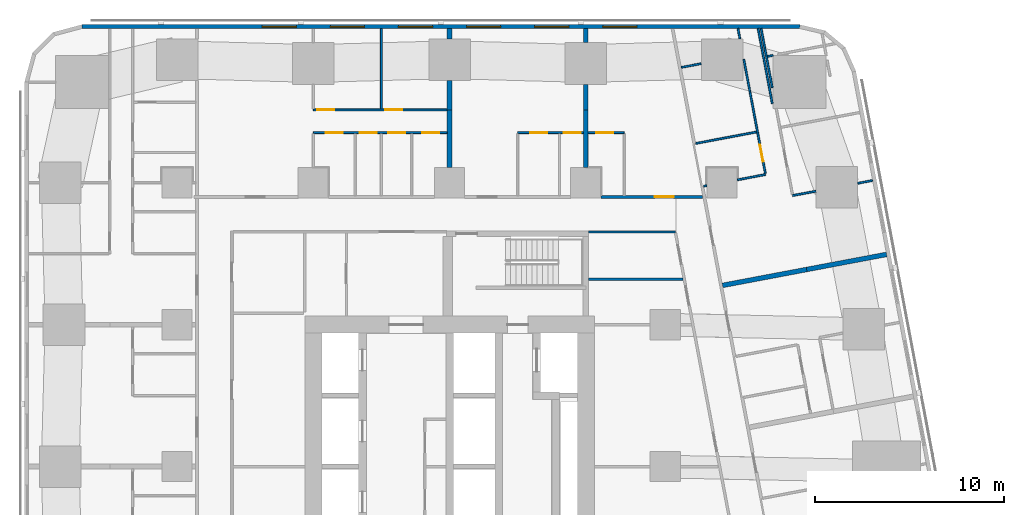
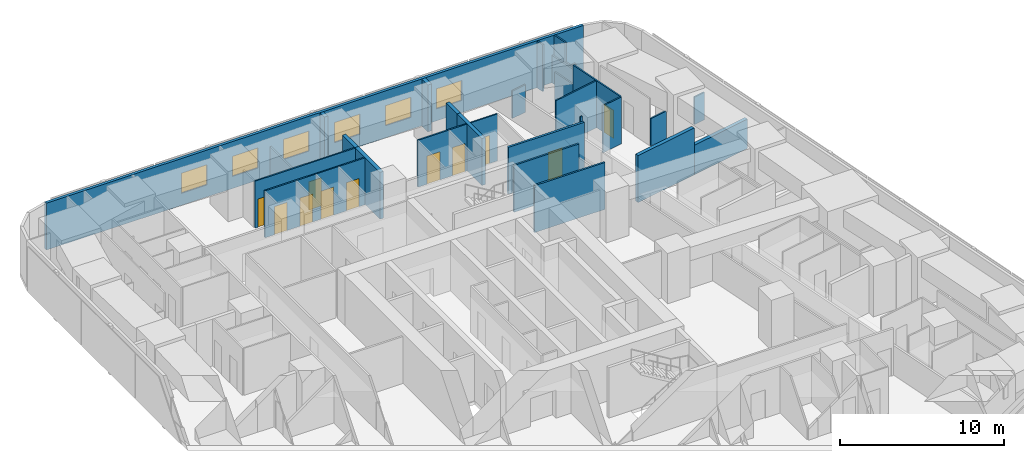
# One storey, part 9 of 14: 30 walls, 11 doors, 6 windows, 17 openings.
"""IFC4 building model written with IfcOpenShell, lengths in metres."""

from ifc_helpers import new_model, si_unit, direction, frame, frame_2d, origin, place, context, subcontext, project, spatial, rectangle, extrude, material, layer, layer_set, type_object, element, fill, save


model = new_model("IFC4")

# Units and contexts
model_context = context("Model", 3, precision=1e-05, world=origin(), true_north=direction((0.0, 1.0)))
body_context = subcontext(model_context, "Body", "Model", "MODEL_VIEW")
ifc_project = project(units=[si_unit("LENGTHUNIT", "METRE"), si_unit("AREAUNIT", "SQUARE_METRE"), si_unit("VOLUMEUNIT", "CUBIC_METRE"), si_unit("PLANEANGLEUNIT", "RADIAN"), si_unit("MASSUNIT", "GRAM", prefix="KILO")], contexts=[model_context])

# Site, building, storey
site_placement = place(None, origin())
site = spatial("IfcSite", under=ifc_project, at=site_placement, CompositionType="ELEMENT")
building_placement = place(site_placement, origin())
building = spatial("IfcBuilding", under=site, at=building_placement, Name="Sheger Commons Tower", CompositionType="ELEMENT")
storey_placement = place(building_placement, frame((0.0, 0.0, 122.89990234375)))
storey = spatial("IfcBuildingStorey", under=building, at=storey_placement, Name="L31", CompositionType="ELEMENT", Elevation=122.89990234375)

# Wall, opening, door
ifc_material_1 = material(Name="Hollow concrete block masonry, skimmed both sides", Category="masonry")
ifc_layer_1 = layer(ifc_material_1, 0.14990234375)
ifc_layer_set_1 = layer_set([ifc_layer_1], Name="CORRIDOR WALL 150")
wall_type_1 = type_object("IfcWallType", Name="CORRIDOR WALL 150", PredefinedType="SOLIDWALL", material=ifc_layer_set_1)
wall_1_placement = place(storey_placement, frame((29.60107421875, 36.75, 0.0), z_axis=(0.0, 0.0, 1.0), x_axis=(1.0, 0.0, 0.0)))
wall_1 = element("IfcWall", 1, at=wall_1_placement, inside=storey, type_object=wall_type_1, Name="Corridor wall L31", PredefinedType="SOLIDWALL", context=body_context, shape_type="SweptSolid", body=[
    extrude(rectangle(XDim=5.371826171875, YDim=0.14990234375, at=frame_2d((2.68603515625, 0.0))), origin(), (0.0, 0.0, 1.0), 3.5),
])
opening_1_placement = place(wall_1_placement, frame((2.844970703125, 0.0, 0.0)))
opening_1 = element("IfcOpeningElement", 2, at=opening_1_placement, cuts=wall_1, Name="Opening D1", PredefinedType="OPENING", context=body_context, shape_type="SweptSolid", body=[
    extrude(rectangle(XDim=1.0, YDim=2.10009765625, at=frame_2d((0.5, 1.050048828125))), frame((0.0, 0.0849609375, 0.0), z_axis=(0.0, -1.0, 0.0), x_axis=(1.0, 0.0, 0.0)), (0.0, 0.0, 1.0), 0.169921875),
])
ifc_material_2 = material(Name="Steel door set, fire rated", Category="steel")
door_type_1 = type_object("IfcDoorType", Name="FLAT ENTRANCE DOOR 1000x2100", OperationType="NOTDEFINED", PredefinedType="DOOR", material=ifc_material_2)
door_1_placement = place(opening_1_placement, origin())
door_1 = element("IfcDoor", 3, at=door_1_placement, inside=storey, type_object=door_type_1, Name="Flat entrance door", OperationType="SINGLE_SWING_RIGHT", OverallHeight=2.10009765625, OverallWidth=1.0, PredefinedType="DOOR", context=body_context, shape_type="SweptSolid", body=[
    extrude(rectangle(XDim=1.0, YDim=2.10009765625, at=frame_2d((0.5, 1.050048828125))), frame((0.0, 0.02490234375, 0.0), z_axis=(0.0, -1.0, 0.0), x_axis=(1.0, 0.0, 0.0)), (0.0, 0.0, 1.0), 0.050048828125),
])
fill(opening_1, door_1)

# Walls
ifc_material_3 = material(Name="Dense concrete block masonry, plastered both sides (separating wall between flats)", Category="masonry")
ifc_layer_2 = layer(ifc_material_3, 0.25)
ifc_layer_set_2 = layer_set([ifc_layer_2], Name="DEMISING WALL 250")
wall_type_2 = type_object("IfcWallType", Name="DEMISING WALL 250", PredefinedType="SOLIDWALL", material=ifc_layer_set_2)
wall_2_placement = place(storey_placement, frame((44.693115234375, 33.712890625, 0.0), z_axis=(0.0, 0.0, 1.0), x_axis=(-0.982633535512, -0.185556823879, 0.0)))
element("IfcWall", 4, at=wall_2_placement, inside=storey, type_object=wall_type_2, Name="Demising wall L31", PredefinedType="SOLIDWALL", context=body_context, shape_type="SweptSolid", body=[
    extrude(rectangle(XDim=4.2998046875, YDim=0.25, at=frame_2d((2.14990234375, 0.0))), origin(), (0.0, 0.0, 1.0), 2.2001953125),
])
wall_3_placement = place(storey_placement, frame((40.468017578125, 32.9150390625, 0.0), z_axis=(0.0, 0.0, 1.0), x_axis=(-0.982612837616, -0.185666398014, 0.0)))
element("IfcWall", 5, at=wall_3_placement, inside=storey, type_object=wall_type_2, Name="Demising wall L31", PredefinedType="SOLIDWALL", context=body_context, shape_type="SweptSolid", body=[
    extrude(rectangle(XDim=4.524658203125, YDim=0.25, at=frame_2d((2.26220703125, 0.0))), origin(), (0.0, 0.0, 1.0), 3.5),
])
wall_4_placement = place(storey_placement, frame((21.60009765625, 41.35009765625, 0.0), z_axis=(0.0, 0.0, 1.0), x_axis=(0.0, 1.0, 0.0)))
element("IfcWall", 6, at=wall_4_placement, inside=storey, type_object=wall_type_2, Name="Demising wall L31", PredefinedType="SOLIDWALL", context=body_context, shape_type="SweptSolid", body=[
    extrude(rectangle(XDim=1.548828125, YDim=0.25, at=frame_2d((0.7744140625, 0.0))), origin(), (0.0, 0.0, 1.0), 3.5),
])
wall_5_placement = place(storey_placement, frame((21.60009765625, 45.10107421875, 0.0), z_axis=(0.0, 0.0, 1.0), x_axis=(0.0, 1.0, 0.0)))
element("IfcWall", 7, at=wall_5_placement, inside=storey, type_object=wall_type_2, Name="Demising wall L31", PredefinedType="SOLIDWALL", context=body_context, shape_type="SweptSolid", body=[
    extrude(rectangle(XDim=0.548828125, YDim=0.25, at=frame_2d((0.2744140625, 0.0))), origin(), (0.0, 0.0, 1.0), 3.5),
])
wall_6_placement = place(storey_placement, frame((21.60009765625, 38.301025390625, 0.0), z_axis=(0.0, 0.0, 1.0), x_axis=(0.0, 1.0, 0.0)))
element("IfcWall", 8, at=wall_6_placement, inside=storey, type_object=wall_type_2, Name="Demising wall L31", PredefinedType="SOLIDWALL", context=body_context, shape_type="SweptSolid", body=[
    extrude(rectangle(XDim=3.049072265625, YDim=0.25, at=frame_2d((1.5244140625, 0.0))), origin(), (0.0, 0.0, 1.0), 3.5),
])
wall_7_placement = place(storey_placement, frame((28.800048828125, 41.35009765625, 0.0), z_axis=(0.0, 0.0, 1.0), x_axis=(0.0, 1.0, 0.0)))
element("IfcWall", 9, at=wall_7_placement, inside=storey, type_object=wall_type_2, Name="Demising wall L31", PredefinedType="SOLIDWALL", context=body_context, shape_type="SweptSolid", body=[
    extrude(rectangle(XDim=1.348876953125, YDim=0.25, at=frame_2d((0.67431640625, 0.0))), origin(), (0.0, 0.0, 1.0), 3.5),
])
wall_8_placement = place(storey_placement, frame((28.800048828125, 44.90087890625, 0.0), z_axis=(0.0, 0.0, 1.0), x_axis=(0.0, 1.0, 0.0)))
element("IfcWall", 10, at=wall_8_placement, inside=storey, type_object=wall_type_2, Name="Demising wall L31", PredefinedType="SOLIDWALL", context=body_context, shape_type="SweptSolid", body=[
    extrude(rectangle(XDim=0.7490234375, YDim=0.25, at=frame_2d((0.37451171875, 0.0))), origin(), (0.0, 0.0, 1.0), 3.5),
])
wall_9_placement = place(storey_placement, frame((28.800048828125, 38.301025390625, 0.0), z_axis=(0.0, 0.0, 1.0), x_axis=(0.0, 1.0, 0.0)))
element("IfcWall", 11, at=wall_9_placement, inside=storey, type_object=wall_type_2, Name="Demising wall L31", PredefinedType="SOLIDWALL", context=body_context, shape_type="SweptSolid", body=[
    extrude(rectangle(XDim=3.049072265625, YDim=0.25, at=frame_2d((1.5244140625, 0.0))), origin(), (0.0, 0.0, 1.0), 3.5),
])

# Wall, openings, windows
ifc_material_4 = material(Name="Rendered concrete block masonry, dark grey", Category="masonry")
ifc_layer_3 = layer(ifc_material_4, 0.199951171875)
ifc_layer_set_3 = layer_set([ifc_layer_3], Name="FACADE WALL 200")
wall_type_3 = type_object("IfcWallType", Name="FACADE WALL 200", PredefinedType="SOLIDWALL", material=ifc_layer_set_3)
wall_10_placement = place(storey_placement, frame((40.10595703125, 45.75, 0.0), z_axis=(0.0, 0.0, 1.0), x_axis=(-1.0, 0.0, 0.0)))
wall_10 = element("IfcWall", 12, at=wall_10_placement, inside=storey, type_object=wall_type_3, Name="Facade wall L31", PredefinedType="SOLIDWALL", context=body_context, shape_type="SweptSolid", body=[
    extrude(rectangle(XDim=37.94287109375, YDim=0.199951171875, at=frame_2d((18.971435546875, 0.0))), origin(), (0.0, 0.0, 1.0), 3.5),
])
opening_2_placement = place(wall_10_placement, frame((8.60595703125, 0.0, 0.89990234375)))
opening_2 = element("IfcOpeningElement", 13, at=opening_2_placement, cuts=wall_10, Name="Opening W2", PredefinedType="OPENING", context=body_context, shape_type="SweptSolid", body=[
    extrude(rectangle(XDim=1.800048828125, YDim=1.5, at=frame_2d((0.89990234375, 0.75))), frame((0.0, 0.10986328125, 0.0), z_axis=(0.0, -1.0, 0.0), x_axis=(1.0, 0.0, 0.0)), (0.0, 0.0, 1.0), 0.219970703125),
])
opening_3_placement = place(wall_10_placement, frame((12.2060546875, 0.0, 0.89990234375)))
opening_3 = element("IfcOpeningElement", 14, at=opening_3_placement, cuts=wall_10, Name="Opening W2", PredefinedType="OPENING", context=body_context, shape_type="SweptSolid", body=[
    extrude(rectangle(XDim=1.800048828125, YDim=1.5, at=frame_2d((0.89990234375, 0.75))), frame((0.0, 0.10986328125, 0.0), z_axis=(0.0, -1.0, 0.0), x_axis=(1.0, 0.0, 0.0)), (0.0, 0.0, 1.0), 0.219970703125),
])
opening_4_placement = place(wall_10_placement, frame((15.805908203125, 0.0, 0.89990234375)))
opening_4 = element("IfcOpeningElement", 15, at=opening_4_placement, cuts=wall_10, Name="Opening W2", PredefinedType="OPENING", context=body_context, shape_type="SweptSolid", body=[
    extrude(rectangle(XDim=1.800048828125, YDim=1.5, at=frame_2d((0.89990234375, 0.75))), frame((0.0, 0.10986328125, 0.0), z_axis=(0.0, -1.0, 0.0), x_axis=(1.0, 0.0, 0.0)), (0.0, 0.0, 1.0), 0.219970703125),
])
opening_5_placement = place(wall_10_placement, frame((19.406005859375, 0.0, 0.89990234375)))
opening_5 = element("IfcOpeningElement", 16, at=opening_5_placement, cuts=wall_10, Name="Opening W2", PredefinedType="OPENING", context=body_context, shape_type="SweptSolid", body=[
    extrude(rectangle(XDim=1.800048828125, YDim=1.5, at=frame_2d((0.89990234375, 0.75))), frame((0.0, 0.10986328125, 0.0), z_axis=(0.0, -1.0, 0.0), x_axis=(1.0, 0.0, 0.0)), (0.0, 0.0, 1.0), 0.219970703125),
])
opening_6_placement = place(wall_10_placement, frame((23.006103515625, 0.0, 0.89990234375)))
opening_6 = element("IfcOpeningElement", 17, at=opening_6_placement, cuts=wall_10, Name="Opening W2", PredefinedType="OPENING", context=body_context, shape_type="SweptSolid", body=[
    extrude(rectangle(XDim=1.800048828125, YDim=1.5, at=frame_2d((0.89990234375, 0.75))), frame((0.0, 0.10986328125, 0.0), z_axis=(0.0, -1.0, 0.0), x_axis=(1.0, 0.0, 0.0)), (0.0, 0.0, 1.0), 0.219970703125),
])
opening_7_placement = place(wall_10_placement, frame((26.60595703125, 0.0, 0.89990234375)))
opening_7 = element("IfcOpeningElement", 18, at=opening_7_placement, cuts=wall_10, Name="Opening W2", PredefinedType="OPENING", context=body_context, shape_type="SweptSolid", body=[
    extrude(rectangle(XDim=1.800048828125, YDim=1.5, at=frame_2d((0.89990234375, 0.75))), frame((0.0, 0.10986328125, 0.0), z_axis=(0.0, -1.0, 0.0), x_axis=(1.0, 0.0, 0.0)), (0.0, 0.0, 1.0), 0.219970703125),
])
ifc_material_5 = material(Name="Black aluminium frame, dark tinted double glazing", Category="aluminium")
window_type = type_object("IfcWindowType", Name="WINDOW W2 1800x1500", PartitioningType="SINGLE_PANEL", PredefinedType="WINDOW", material=ifc_material_5)
window_1_placement = place(opening_2_placement, origin())
window_1 = element("IfcWindow", 19, at=window_1_placement, inside=storey, type_object=window_type, Name="Window W2 1800X1500", OverallHeight=1.5, OverallWidth=1.800048828125, PartitioningType="SINGLE_PANEL", PredefinedType="WINDOW", context=body_context, shape_type="SweptSolid", body=[
    extrude(rectangle(XDim=1.800048828125, YDim=1.5, at=frame_2d((0.89990234375, 0.75))), frame((0.0, 0.030029296875, 0.0), z_axis=(0.0, -1.0, 0.0), x_axis=(1.0, 0.0, 0.0)), (0.0, 0.0, 1.0), 0.06005859375),
])
fill(opening_2, window_1)
window_2_placement = place(opening_3_placement, origin())
window_2 = element("IfcWindow", 20, at=window_2_placement, inside=storey, type_object=window_type, Name="Window W2 1800X1500", OverallHeight=1.5, OverallWidth=1.800048828125, PartitioningType="SINGLE_PANEL", PredefinedType="WINDOW", context=body_context, shape_type="SweptSolid", body=[
    extrude(rectangle(XDim=1.800048828125, YDim=1.5, at=frame_2d((0.89990234375, 0.75))), frame((0.0, 0.030029296875, 0.0), z_axis=(0.0, -1.0, 0.0), x_axis=(1.0, 0.0, 0.0)), (0.0, 0.0, 1.0), 0.06005859375),
])
fill(opening_3, window_2)
window_3_placement = place(opening_4_placement, origin())
window_3 = element("IfcWindow", 21, at=window_3_placement, inside=storey, type_object=window_type, Name="Window W2 1800X1500", OverallHeight=1.5, OverallWidth=1.800048828125, PartitioningType="SINGLE_PANEL", PredefinedType="WINDOW", context=body_context, shape_type="SweptSolid", body=[
    extrude(rectangle(XDim=1.800048828125, YDim=1.5, at=frame_2d((0.89990234375, 0.75))), frame((0.0, 0.030029296875, 0.0), z_axis=(0.0, -1.0, 0.0), x_axis=(1.0, 0.0, 0.0)), (0.0, 0.0, 1.0), 0.06005859375),
])
fill(opening_4, window_3)
window_4_placement = place(opening_5_placement, origin())
window_4 = element("IfcWindow", 22, at=window_4_placement, inside=storey, type_object=window_type, Name="Window W2 1800X1500", OverallHeight=1.5, OverallWidth=1.800048828125, PartitioningType="SINGLE_PANEL", PredefinedType="WINDOW", context=body_context, shape_type="SweptSolid", body=[
    extrude(rectangle(XDim=1.800048828125, YDim=1.5, at=frame_2d((0.89990234375, 0.75))), frame((0.0, 0.030029296875, 0.0), z_axis=(0.0, -1.0, 0.0), x_axis=(1.0, 0.0, 0.0)), (0.0, 0.0, 1.0), 0.06005859375),
])
fill(opening_5, window_4)
window_5_placement = place(opening_6_placement, origin())
window_5 = element("IfcWindow", 23, at=window_5_placement, inside=storey, type_object=window_type, Name="Window W2 1800X1500", OverallHeight=1.5, OverallWidth=1.800048828125, PartitioningType="SINGLE_PANEL", PredefinedType="WINDOW", context=body_context, shape_type="SweptSolid", body=[
    extrude(rectangle(XDim=1.800048828125, YDim=1.5, at=frame_2d((0.89990234375, 0.75))), frame((0.0, 0.030029296875, 0.0), z_axis=(0.0, -1.0, 0.0), x_axis=(1.0, 0.0, 0.0)), (0.0, 0.0, 1.0), 0.06005859375),
])
fill(opening_6, window_5)
window_6_placement = place(opening_7_placement, origin())
window_6 = element("IfcWindow", 24, at=window_6_placement, inside=storey, type_object=window_type, Name="Window W2 1800X1500", OverallHeight=1.5, OverallWidth=1.800048828125, PartitioningType="SINGLE_PANEL", PredefinedType="WINDOW", context=body_context, shape_type="SweptSolid", body=[
    extrude(rectangle(XDim=1.800048828125, YDim=1.5, at=frame_2d((0.89990234375, 0.75))), frame((0.0, 0.030029296875, 0.0), z_axis=(0.0, -1.0, 0.0), x_axis=(1.0, 0.0, 0.0)), (0.0, 0.0, 1.0), 0.06005859375),
])
fill(opening_7, window_6)

# Walls
ifc_material_6 = material(Name="Gypsum board on steel studs", Category="steel")
ifc_layer_4 = layer(ifc_material_6, 0.10009765625)
ifc_layer_set_4 = layer_set([ifc_layer_4], Name="PARTITION 100")
wall_type_4 = type_object("IfcWallType", Name="PARTITION 100", PredefinedType="PARTITIONING", material=ifc_layer_set_4)
wall_11_placement = place(storey_placement, frame((38.654052734375, 41.68603515625, 0.0), z_axis=(0.0, 0.0, 1.0), x_axis=(-0.185676896978, 0.982610853761, 0.0)))
element("IfcWall", 25, at=wall_11_placement, inside=storey, type_object=wall_type_4, Name="Partition L31", PredefinedType="PARTITIONING", context=body_context, shape_type="SweptSolid", body=[
    extrude(rectangle(XDim=4.033935546875, YDim=0.10009765625, at=frame_2d((2.01708984375, 0.0))), origin(), (0.0, 0.0, 1.0), 2.050048828125),
])
wall_12_placement = place(storey_placement, frame((38.06298828125, 45.64990234375, 0.0), z_axis=(0.0, 0.0, 1.0), x_axis=(0.185677287841, -0.982610779902, 0.0)))
element("IfcWall", 26, at=wall_12_placement, inside=storey, type_object=wall_type_4, Name="Partition L31", PredefinedType="PARTITIONING", context=body_context, shape_type="SweptSolid", body=[
    extrude(rectangle(XDim=1.0400390625, YDim=0.10009765625, at=frame_2d((0.52001953125, 0.0))), origin(), (0.0, 0.0, 1.0), 3.5),
])
wall_13_placement = place(storey_placement, frame((38.256103515625, 44.6279296875, 0.0), z_axis=(0.0, 0.0, 1.0), x_axis=(0.185674153532, -0.982611372166, 0.0)))
element("IfcWall", 27, at=wall_13_placement, inside=storey, type_object=wall_type_4, Name="Partition L31", PredefinedType="PARTITIONING", context=body_context, shape_type="SweptSolid", body=[
    extrude(rectangle(XDim=2.137939453125, YDim=0.10009765625, at=frame_2d((1.06884765625, 0.0))), origin(), (0.0, 0.0, 1.0), 2.050048828125),
])
wall_14_placement = place(storey_placement, frame((36.841064453125, 45.64990234375, 0.0), z_axis=(0.0, 0.0, 1.0), x_axis=(0.185764109712, -0.98259436979, 0.0)))
element("IfcWall", 28, at=wall_14_placement, inside=storey, type_object=wall_type_4, Name="Partition L31", PredefinedType="PARTITIONING", context=body_context, shape_type="SweptSolid", body=[
    extrude(rectangle(XDim=0.54931640625, YDim=0.10009765625, at=frame_2d((0.274658203125, 0.0))), origin(), (0.0, 0.0, 1.0), 3.5),
])
wall_15_placement = place(storey_placement, frame((37.14892578125, 44.01806640625, 0.0), z_axis=(0.0, 0.0, 1.0), x_axis=(0.185712190756, -0.982604183893, 0.0)))
element("IfcWall", 29, at=wall_15_placement, inside=storey, type_object=wall_type_4, Name="Partition L31", PredefinedType="PARTITIONING", context=body_context, shape_type="SweptSolid", body=[
    extrude(rectangle(XDim=1.7392578125, YDim=0.10009765625, at=frame_2d((0.86962890625, 0.0))), origin(), (0.0, 0.0, 1.0), 2.050048828125),
])

# Wall, opening, door
wall_16_placement = place(storey_placement, frame((37.471923828125, 42.30908203125, 0.0), z_axis=(0.0, 0.0, 1.0), x_axis=(0.185641287362, -0.982617581985, 0.0)))
wall_16 = element("IfcWall", 30, at=wall_16_placement, inside=storey, type_object=wall_type_4, Name="Partition L31", PredefinedType="PARTITIONING", context=body_context, shape_type="SweptSolid", body=[
    extrude(rectangle(XDim=4.401611328125, YDim=0.10009765625, at=frame_2d((2.20068359375, 0.0))), origin(), (0.0, 0.0, 1.0), 3.5),
])
opening_8_placement = place(wall_16_placement, frame((2.85400390625, 0.0, 0.0)))
opening_8 = element("IfcOpeningElement", 31, at=opening_8_placement, cuts=wall_16, Name="Opening D2", PredefinedType="OPENING", context=body_context, shape_type="SweptSolid", body=[
    extrude(rectangle(XDim=0.89990234375, YDim=2.10009765625, at=frame_2d((0.449951171875, 1.050048828125))), frame((0.0, 0.06005859375, 0.0), z_axis=(0.0, -1.0, 0.0), x_axis=(1.0, 0.0, 0.0)), (0.0, 0.0, 1.0), 0.1201171875),
])
ifc_material_7 = material(Name="Timber door set", Category="wood")
door_type_2 = type_object("IfcDoorType", Name="INTERNAL DOOR 900x2100", OperationType="NOTDEFINED", PredefinedType="DOOR", material=ifc_material_7)
door_2_placement = place(opening_8_placement, origin())
door_2 = element("IfcDoor", 32, at=door_2_placement, inside=storey, type_object=door_type_2, Name="Bathroom door", OperationType="SINGLE_SWING_LEFT", OverallHeight=2.10009765625, OverallWidth=0.89990234375, PredefinedType="DOOR", context=body_context, shape_type="SweptSolid", body=[
    extrude(rectangle(XDim=0.89990234375, YDim=2.10009765625, at=frame_2d((0.449951171875, 1.050048828125))), frame((0.0, 0.02490234375, 0.0), z_axis=(0.0, -1.0, 0.0), x_axis=(1.0, 0.0, 0.0)), (0.0, 0.0, 1.0), 0.050048828125),
])
fill(opening_8, door_2)

# Walls
wall_17_placement = place(storey_placement, frame((38.69189453125, 44.22998046875, 0.0), z_axis=(0.0, 0.0, 1.0), x_axis=(-0.982944840311, -0.183900627803, 0.0)))
element("IfcWall", 33, at=wall_17_placement, inside=storey, type_object=wall_type_4, Name="Partition L31", PredefinedType="PARTITIONING", context=body_context, shape_type="SweptSolid", body=[
    extrude(rectangle(XDim=0.303955078125, YDim=0.10009765625, at=frame_2d((0.15185546875, 0.0))), origin(), (0.0, 0.0, 1.0), 2.050048828125),
])
wall_18_placement = place(storey_placement, frame((43.955078125, 37.6201171875, 0.0), z_axis=(0.0, 0.0, 1.0), x_axis=(-0.98247004097, -0.186420542316, 0.0)))
element("IfcWall", 34, at=wall_18_placement, inside=storey, type_object=wall_type_4, Name="Partition L31", PredefinedType="PARTITIONING", context=body_context, shape_type="SweptSolid", body=[
    extrude(rectangle(XDim=0.794921875, YDim=0.10009765625, at=frame_2d((0.3974609375, 0.0))), origin(), (0.0, 0.0, 1.0), 2.050048828125),
])
wall_19_placement = place(storey_placement, frame((40.9541015625, 37.052978515625, 0.0), z_axis=(0.0, 0.0, 1.0), x_axis=(-0.982663001154, -0.185400717808, 0.0)))
element("IfcWall", 35, at=wall_19_placement, inside=storey, type_object=wall_type_4, Name="Partition L31", PredefinedType="PARTITIONING", context=body_context, shape_type="SweptSolid", body=[
    extrude(rectangle(XDim=1.24560546875, YDim=0.10009765625, at=frame_2d((0.622802734375, 0.0))), origin(), (0.0, 0.0, 1.0), 2.050048828125),
])
wall_20_placement = place(storey_placement, frame((34.889892578125, 43.791015625, 0.0), z_axis=(0.0, 0.0, 1.0), x_axis=(-0.982621304855, -0.185621580763, 0.0)))
element("IfcWall", 36, at=wall_20_placement, inside=storey, type_object=wall_type_4, Name="Partition L31", PredefinedType="PARTITIONING", context=body_context, shape_type="SweptSolid", body=[
    extrude(rectangle(XDim=1.0615234375, YDim=0.10009765625, at=frame_2d((0.53076171875, 0.0))), origin(), (0.0, 0.0, 1.0), 2.050048828125),
])
wall_21_placement = place(storey_placement, frame((37.822998046875, 40.181884765625, 0.0), z_axis=(0.0, 0.0, 1.0), x_axis=(-0.982664729897, -0.18539155487, 0.0)))
element("IfcWall", 37, at=wall_21_placement, inside=storey, type_object=wall_type_4, Name="Partition L31", PredefinedType="PARTITIONING", context=body_context, shape_type="SweptSolid", body=[
    extrude(rectangle(XDim=3.273681640625, YDim=0.10009765625, at=frame_2d((1.63671875, 0.0))), origin(), (0.0, 0.0, 1.0), 3.5),
])
wall_22_placement = place(storey_placement, frame((38.299072265625, 37.93505859375, 0.0), z_axis=(0.0, 0.0, 1.0), x_axis=(-0.982536828695, -0.186068213993, 0.0)))
element("IfcWall", 38, at=wall_22_placement, inside=storey, type_object=wall_type_4, Name="Partition L31", PredefinedType="PARTITIONING", context=body_context, shape_type="SweptSolid", body=[
    extrude(rectangle(XDim=1.515380859375, YDim=0.10009765625, at=frame_2d((0.7578125, 0.0))), origin(), (0.0, 0.0, 1.0), 3.5),
])
wall_23_placement = place(storey_placement, frame((35.18994140625, 37.346923828125, 0.0), z_axis=(0.0, 0.0, 1.0), x_axis=(-0.982404955251, -0.186763229514, 0.0)))
element("IfcWall", 39, at=wall_23_placement, inside=storey, type_object=wall_type_4, Name="Partition L31", PredefinedType="PARTITIONING", context=body_context, shape_type="SweptSolid", body=[
    extrude(rectangle(XDim=0.160888671875, YDim=0.10009765625, at=frame_2d((0.08056640625, 0.0))), origin(), (0.0, 0.0, 1.0), 3.5),
])

# Wall, openings, doors
wall_24_placement = place(storey_placement, frame((14.39990234375, 41.35009765625, 0.0), z_axis=(0.0, 0.0, 1.0), x_axis=(1.0, 0.0, 0.0)))
wall_24 = element("IfcWall", 40, at=wall_24_placement, inside=storey, type_object=wall_type_4, Name="Partition L31", PredefinedType="PARTITIONING", context=body_context, shape_type="SweptSolid", body=[
    extrude(rectangle(XDim=7.0751953125, YDim=0.10009765625, at=frame_2d((3.53759765625, 0.0))), origin(), (0.0, 0.0, 1.0), 3.5),
])
opening_9_placement = place(wall_24_placement, frame((0.199951171875, 0.0, 0.0)))
opening_9 = element("IfcOpeningElement", 41, at=opening_9_placement, cuts=wall_24, Name="Opening D2", PredefinedType="OPENING", context=body_context, shape_type="SweptSolid", body=[
    extrude(rectangle(XDim=0.89990234375, YDim=2.10009765625, at=frame_2d((0.449951171875, 1.050048828125))), frame((0.0, 0.06005859375, 0.0), z_axis=(0.0, -1.0, 0.0), x_axis=(1.0, 0.0, 0.0)), (0.0, 0.0, 1.0), 0.1201171875),
])
opening_10_placement = place(wall_24_placement, frame((3.800048828125, 0.0, 0.0)))
opening_10 = element("IfcOpeningElement", 42, at=opening_10_placement, cuts=wall_24, Name="Opening D2", PredefinedType="OPENING", context=body_context, shape_type="SweptSolid", body=[
    extrude(rectangle(XDim=0.89990234375, YDim=2.10009765625, at=frame_2d((0.449951171875, 1.050048828125))), frame((0.0, 0.06005859375, 0.0), z_axis=(0.0, -1.0, 0.0), x_axis=(1.0, 0.0, 0.0)), (0.0, 0.0, 1.0), 0.1201171875),
])
door_3_placement = place(opening_9_placement, origin())
door_3 = element("IfcDoor", 43, at=door_3_placement, inside=storey, type_object=door_type_2, Name="Main bedroom door", OperationType="SINGLE_SWING_LEFT", OverallHeight=2.10009765625, OverallWidth=0.89990234375, PredefinedType="DOOR", context=body_context, shape_type="SweptSolid", body=[
    extrude(rectangle(XDim=0.89990234375, YDim=2.10009765625, at=frame_2d((0.449951171875, 1.050048828125))), frame((0.0, 0.02490234375, 0.0), z_axis=(0.0, -1.0, 0.0), x_axis=(1.0, 0.0, 0.0)), (0.0, 0.0, 1.0), 0.050048828125),
])
fill(opening_9, door_3)
door_4_placement = place(opening_10_placement, origin())
door_4 = element("IfcDoor", 44, at=door_4_placement, inside=storey, type_object=door_type_2, Name="Bedroom 2 door", OperationType="SINGLE_SWING_LEFT", OverallHeight=2.10009765625, OverallWidth=0.89990234375, PredefinedType="DOOR", context=body_context, shape_type="SweptSolid", body=[
    extrude(rectangle(XDim=0.89990234375, YDim=2.10009765625, at=frame_2d((0.449951171875, 1.050048828125))), frame((0.0, 0.02490234375, 0.0), z_axis=(0.0, -1.0, 0.0), x_axis=(1.0, 0.0, 0.0)), (0.0, 0.0, 1.0), 0.050048828125),
])
fill(opening_10, door_4)

wall_25_placement = place(storey_placement, frame((14.39990234375, 40.14990234375, 0.0), z_axis=(0.0, 0.0, 1.0), x_axis=(1.0, 0.0, 0.0)))
wall_25 = element("IfcWall", 45, at=wall_25_placement, inside=storey, type_object=wall_type_4, Name="Partition L31", PredefinedType="PARTITIONING", context=body_context, shape_type="SweptSolid", body=[
    extrude(rectangle(XDim=7.0751953125, YDim=0.10009765625, at=frame_2d((3.53759765625, 0.0))), origin(), (0.0, 0.0, 1.0), 3.5),
])
opening_11_placement = place(wall_25_placement, frame((0.655029296875, 0.0, 0.0)))
opening_11 = element("IfcOpeningElement", 46, at=opening_11_placement, cuts=wall_25, Name="Opening D2", PredefinedType="OPENING", context=body_context, shape_type="SweptSolid", body=[
    extrude(rectangle(XDim=0.89990234375, YDim=2.10009765625, at=frame_2d((0.449951171875, 1.050048828125))), frame((0.0, 0.06005859375, 0.0), z_axis=(0.0, -1.0, 0.0), x_axis=(1.0, 0.0, 0.0)), (0.0, 0.0, 1.0), 0.1201171875),
])
opening_12_placement = place(wall_25_placement, frame((3.949951171875, 0.0, 0.0)))
opening_12 = element("IfcOpeningElement", 47, at=opening_12_placement, cuts=wall_25, Name="Opening D2", PredefinedType="OPENING", context=body_context, shape_type="SweptSolid", body=[
    extrude(rectangle(XDim=0.89990234375, YDim=2.10009765625, at=frame_2d((0.449951171875, 1.050048828125))), frame((0.0, 0.06005859375, 0.0), z_axis=(0.0, -1.0, 0.0), x_axis=(1.0, 0.0, 0.0)), (0.0, 0.0, 1.0), 0.1201171875),
])
opening_13_placement = place(wall_25_placement, frame((2.455078125, 0.0, 0.0)))
opening_13 = element("IfcOpeningElement", 48, at=opening_13_placement, cuts=wall_25, Name="Opening D2", PredefinedType="OPENING", context=body_context, shape_type="SweptSolid", body=[
    extrude(rectangle(XDim=0.89990234375, YDim=2.10009765625, at=frame_2d((0.449951171875, 1.050048828125))), frame((0.0, 0.06005859375, 0.0), z_axis=(0.0, -1.0, 0.0), x_axis=(1.0, 0.0, 0.0)), (0.0, 0.0, 1.0), 0.1201171875),
])
opening_14_placement = place(wall_25_placement, frame((5.75, 0.0, 0.0)))
opening_14 = element("IfcOpeningElement", 49, at=opening_14_placement, cuts=wall_25, Name="Opening D2", PredefinedType="OPENING", context=body_context, shape_type="SweptSolid", body=[
    extrude(rectangle(XDim=0.89990234375, YDim=2.10009765625, at=frame_2d((0.449951171875, 1.050048828125))), frame((0.0, 0.06005859375, 0.0), z_axis=(0.0, -1.0, 0.0), x_axis=(1.0, 0.0, 0.0)), (0.0, 0.0, 1.0), 0.1201171875),
])
door_5_placement = place(opening_11_placement, origin())
door_5 = element("IfcDoor", 50, at=door_5_placement, inside=storey, type_object=door_type_2, Name="Bathroom door", OperationType="SINGLE_SWING_RIGHT", OverallHeight=2.10009765625, OverallWidth=0.89990234375, PredefinedType="DOOR", context=body_context, shape_type="SweptSolid", body=[
    extrude(rectangle(XDim=0.89990234375, YDim=2.10009765625, at=frame_2d((0.449951171875, 1.050048828125))), frame((0.0, 0.02490234375, 0.0), z_axis=(0.0, -1.0, 0.0), x_axis=(1.0, 0.0, 0.0)), (0.0, 0.0, 1.0), 0.050048828125),
])
fill(opening_11, door_5)
door_6_placement = place(opening_12_placement, origin())
door_6 = element("IfcDoor", 51, at=door_6_placement, inside=storey, type_object=door_type_2, Name="Shower room door", OperationType="SINGLE_SWING_LEFT", OverallHeight=2.10009765625, OverallWidth=0.89990234375, PredefinedType="DOOR", context=body_context, shape_type="SweptSolid", body=[
    extrude(rectangle(XDim=0.89990234375, YDim=2.10009765625, at=frame_2d((0.449951171875, 1.050048828125))), frame((0.0, 0.02490234375, 0.0), z_axis=(0.0, -1.0, 0.0), x_axis=(1.0, 0.0, 0.0)), (0.0, 0.0, 1.0), 0.050048828125),
])
fill(opening_12, door_6)
door_7_placement = place(opening_13_placement, origin())
door_7 = element("IfcDoor", 52, at=door_7_placement, inside=storey, type_object=door_type_2, Name="Store door", OperationType="SINGLE_SWING_LEFT", OverallHeight=2.10009765625, OverallWidth=0.89990234375, PredefinedType="DOOR", context=body_context, shape_type="SweptSolid", body=[
    extrude(rectangle(XDim=0.89990234375, YDim=2.10009765625, at=frame_2d((0.449951171875, 1.050048828125))), frame((0.0, 0.02490234375, 0.0), z_axis=(0.0, -1.0, 0.0), x_axis=(1.0, 0.0, 0.0)), (0.0, 0.0, 1.0), 0.050048828125),
])
fill(opening_13, door_7)
door_8_placement = place(opening_14_placement, origin())
door_8 = element("IfcDoor", 53, at=door_8_placement, inside=storey, type_object=door_type_2, Name="Store door", OperationType="SINGLE_SWING_LEFT", OverallHeight=2.10009765625, OverallWidth=0.89990234375, PredefinedType="DOOR", context=body_context, shape_type="SweptSolid", body=[
    extrude(rectangle(XDim=0.89990234375, YDim=2.10009765625, at=frame_2d((0.449951171875, 1.050048828125))), frame((0.0, 0.02490234375, 0.0), z_axis=(0.0, -1.0, 0.0), x_axis=(1.0, 0.0, 0.0)), (0.0, 0.0, 1.0), 0.050048828125),
])
fill(opening_14, door_8)

# Wall
wall_26_placement = place(storey_placement, frame((18.0, 41.39990234375, 0.0), z_axis=(0.0, 0.0, 1.0), x_axis=(0.0, 1.0, 0.0)))
element("IfcWall", 54, at=wall_26_placement, inside=storey, type_object=wall_type_4, Name="Partition L31", PredefinedType="PARTITIONING", context=body_context, shape_type="SweptSolid", body=[
    extrude(rectangle(XDim=4.25, YDim=0.10009765625, at=frame_2d((2.125, 0.0))), origin(), (0.0, 0.0, 1.0), 2.2001953125),
])

# Wall, openings, doors
wall_27_placement = place(storey_placement, frame((25.199951171875, 40.14990234375, 0.0), z_axis=(0.0, 0.0, 1.0), x_axis=(1.0, 0.0, 0.0)))
wall_27 = element("IfcWall", 55, at=wall_27_placement, inside=storey, type_object=wall_type_4, Name="Partition L31", PredefinedType="PARTITIONING", context=body_context, shape_type="SweptSolid", body=[
    extrude(rectangle(XDim=3.47509765625, YDim=0.10009765625, at=frame_2d((1.737548828125, 0.0))), origin(), (0.0, 0.0, 1.0), 3.5),
])
opening_15_placement = place(wall_27_placement, frame((0.655029296875, 0.0, 0.0)))
opening_15 = element("IfcOpeningElement", 56, at=opening_15_placement, cuts=wall_27, Name="Opening D2", PredefinedType="OPENING", context=body_context, shape_type="SweptSolid", body=[
    extrude(rectangle(XDim=0.89990234375, YDim=2.10009765625, at=frame_2d((0.449951171875, 1.050048828125))), frame((0.0, 0.06005859375, 0.0), z_axis=(0.0, -1.0, 0.0), x_axis=(1.0, 0.0, 0.0)), (0.0, 0.0, 1.0), 0.1201171875),
])
opening_16_placement = place(wall_27_placement, frame((2.425048828125, 0.0, 0.0)))
opening_16 = element("IfcOpeningElement", 57, at=opening_16_placement, cuts=wall_27, Name="Opening D2", PredefinedType="OPENING", context=body_context, shape_type="SweptSolid", body=[
    extrude(rectangle(XDim=0.89990234375, YDim=2.10009765625, at=frame_2d((0.449951171875, 1.050048828125))), frame((0.0, 0.06005859375, 0.0), z_axis=(0.0, -1.0, 0.0), x_axis=(1.0, 0.0, 0.0)), (0.0, 0.0, 1.0), 0.1201171875),
])
door_9_placement = place(opening_15_placement, origin())
door_9 = element("IfcDoor", 58, at=door_9_placement, inside=storey, type_object=door_type_2, Name="Bathroom door", OperationType="SINGLE_SWING_RIGHT", OverallHeight=2.10009765625, OverallWidth=0.89990234375, PredefinedType="DOOR", context=body_context, shape_type="SweptSolid", body=[
    extrude(rectangle(XDim=0.89990234375, YDim=2.10009765625, at=frame_2d((0.449951171875, 1.050048828125))), frame((0.0, 0.02490234375, 0.0), z_axis=(0.0, -1.0, 0.0), x_axis=(1.0, 0.0, 0.0)), (0.0, 0.0, 1.0), 0.050048828125),
])
fill(opening_15, door_9)
door_10_placement = place(opening_16_placement, origin())
door_10 = element("IfcDoor", 59, at=door_10_placement, inside=storey, type_object=door_type_2, Name="Store door", OperationType="SINGLE_SWING_LEFT", OverallHeight=2.10009765625, OverallWidth=0.89990234375, PredefinedType="DOOR", context=body_context, shape_type="SweptSolid", body=[
    extrude(rectangle(XDim=0.89990234375, YDim=2.10009765625, at=frame_2d((0.449951171875, 1.050048828125))), frame((0.0, 0.02490234375, 0.0), z_axis=(0.0, -1.0, 0.0), x_axis=(1.0, 0.0, 0.0)), (0.0, 0.0, 1.0), 0.050048828125),
])
fill(opening_16, door_10)

# Wall, opening, door
wall_28_placement = place(storey_placement, frame((28.925048828125, 40.14990234375, 0.0), z_axis=(0.0, 0.0, 1.0), x_axis=(1.0, 0.0, 0.0)))
wall_28 = element("IfcWall", 60, at=wall_28_placement, inside=storey, type_object=wall_type_4, Name="Partition L31", PredefinedType="PARTITIONING", context=body_context, shape_type="SweptSolid", body=[
    extrude(rectangle(XDim=1.904052734375, YDim=0.10009765625, at=frame_2d((0.9521484375, 0.0))), origin(), (0.0, 0.0, 1.0), 3.5),
])
opening_17_placement = place(wall_28_placement, frame((0.425048828125, 0.0, 0.0)))
opening_17 = element("IfcOpeningElement", 61, at=opening_17_placement, cuts=wall_28, Name="Opening D2", PredefinedType="OPENING", context=body_context, shape_type="SweptSolid", body=[
    extrude(rectangle(XDim=0.89990234375, YDim=2.10009765625, at=frame_2d((0.449951171875, 1.050048828125))), frame((0.0, 0.06005859375, 0.0), z_axis=(0.0, -1.0, 0.0), x_axis=(1.0, 0.0, 0.0)), (0.0, 0.0, 1.0), 0.1201171875),
])
door_11_placement = place(opening_17_placement, origin())
door_11 = element("IfcDoor", 62, at=door_11_placement, inside=storey, type_object=door_type_2, Name="Shower room door", OperationType="SINGLE_SWING_RIGHT", OverallHeight=2.10009765625, OverallWidth=0.89990234375, PredefinedType="DOOR", context=body_context, shape_type="SweptSolid", body=[
    extrude(rectangle(XDim=0.89990234375, YDim=2.10009765625, at=frame_2d((0.449951171875, 1.050048828125))), frame((0.0, 0.02490234375, 0.0), z_axis=(0.0, -1.0, 0.0), x_axis=(1.0, 0.0, 0.0)), (0.0, 0.0, 1.0), 0.050048828125),
])
fill(opening_17, door_11)

# Walls
ifc_material_8 = material(Name="Gypsum board on steel studs, two layers each side, fire rated", Category="steel")
ifc_layer_5 = layer(ifc_material_8, 0.125)
ifc_layer_set_5 = layer_set([ifc_layer_5], Name="SERVICE WALL 125")
wall_type_5 = type_object("IfcWallType", Name="SERVICE WALL 125", PredefinedType="PARTITIONING", material=ifc_layer_set_5)
wall_29_placement = place(storey_placement, frame((28.949951171875, 34.89990234375, 0.0), z_axis=(0.0, 0.0, 1.0), x_axis=(1.0, 0.0, 0.0)))
element("IfcWall", 63, at=wall_29_placement, inside=storey, type_object=wall_type_5, Name="Service room wall L31", PredefinedType="PARTITIONING", context=body_context, shape_type="SweptSolid", body=[
    extrude(rectangle(XDim=4.588134765625, YDim=0.125, at=frame_2d((2.2939453125, 0.0))), origin(), (0.0, 0.0, 1.0), 3.5),
])
wall_30_placement = place(storey_placement, frame((28.949951171875, 32.39990234375, 0.0), z_axis=(0.0, 0.0, 1.0), x_axis=(1.0, 0.0, 0.0)))
element("IfcWall", 64, at=wall_30_placement, inside=storey, type_object=wall_type_5, Name="Service room wall L31", PredefinedType="PARTITIONING", context=body_context, shape_type="SweptSolid", body=[
    extrude(rectangle(XDim=4.97607421875, YDim=0.125, at=frame_2d((2.488037109375, 0.0))), origin(), (0.0, 0.0, 1.0), 3.5),
])

save(model, "model.ifc")
